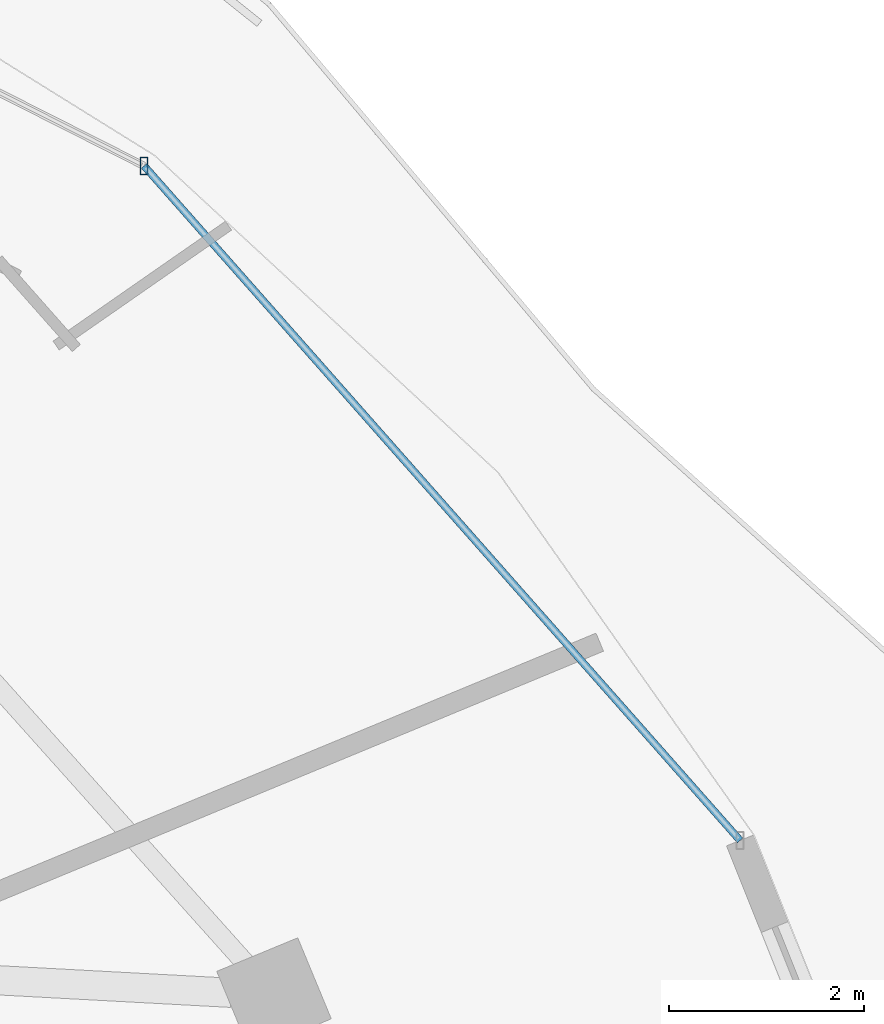
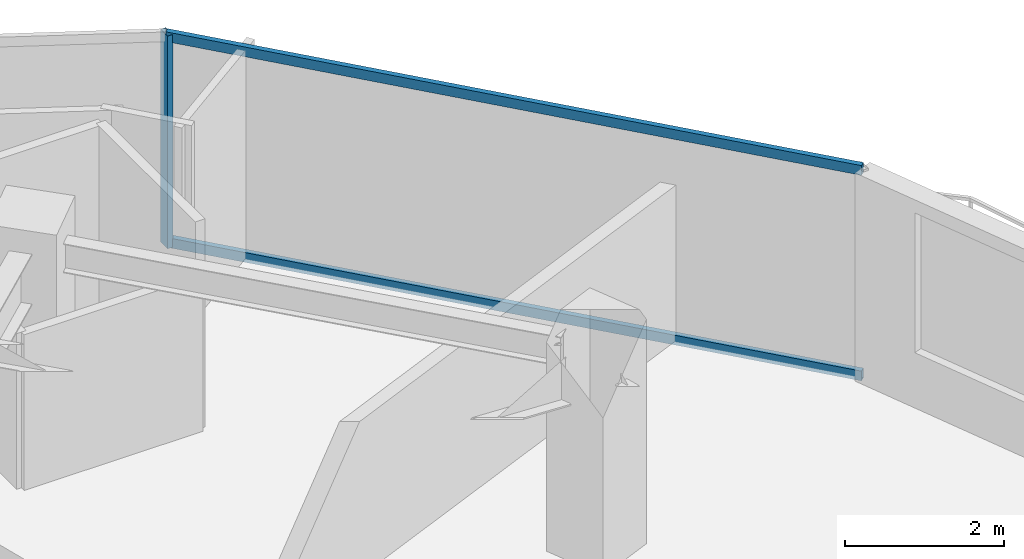
# One storey, part 22 of 33: 3 members, 1 element without a shape of its own.
"""IFC4 building model written with IfcOpenShell, lengths in metres."""

from ifc_helpers import new_model, si_unit, direction, frame, origin, origin_2d, place, context, subcontext, project, spatial, hollow_rectangle, extrude, material, material_profile, profile_set, type_object, element, aggregate, save


model = new_model("IFC4")

# Units and contexts
model_context = context("Model", 3, precision=1e-05, world=origin(), true_north=direction((0.0, 1.0)))
body_context = subcontext(model_context, "Body", "Model", "MODEL_VIEW")
ifc_project = project(units=[si_unit("LENGTHUNIT", "METRE"), si_unit("AREAUNIT", "SQUARE_METRE"), si_unit("VOLUMEUNIT", "CUBIC_METRE"), si_unit("PLANEANGLEUNIT", "RADIAN"), si_unit("MASSUNIT", "GRAM", prefix="KILO")], contexts=[model_context])

# Site, building, storey
site_placement = place(None, origin())
site = spatial("IfcSite", under=ifc_project, at=site_placement, CompositionType="ELEMENT")
building_placement = place(site_placement, origin())
building = spatial("IfcBuilding", under=site, at=building_placement, Name="Vorneva Point Tower", CompositionType="ELEMENT")
storey_placement = place(building_placement, frame((0.0, 0.0, 221.39990234375)))
storey = spatial("IfcBuildingStorey", under=building, at=storey_placement, Name="L60", CompositionType="ELEMENT", Elevation=221.39990234375)

# Curtain wall, members
ifc_material = material(Name="Pale anodised aluminium", Category="aluminium")
curtain_wall_type = type_object("IfcCurtainWallType", Name="CW-RES-SYS", PredefinedType="NOTDEFINED", material=ifc_material)
curtain_wall_placement = place(storey_placement, origin())
curtain_wall = element("IfcCurtainWall", 1, at=curtain_wall_placement, inside=storey, type_object=curtain_wall_type, Name="L60 Unitised Curtain Wall CW-L60-R01", PredefinedType="NOTDEFINED")
ifc_material_profile_1 = material_profile(ifc_material, hollow_rectangle(XDim=0.074951171875, YDim=0.179931640625, WallThickness=0.00390625, at=origin_2d()), Name="AL-MUL 180x75x4")
ifc_profile_set_1 = profile_set([ifc_material_profile_1], Name="Pale anodised aluminium")
member_type_1 = type_object("IfcMemberType", Name="CW-MUL-180", PredefinedType="MULLION", material=ifc_profile_set_1)
member_1_placement = place(storey_placement, frame((57.961669921875, 41.0966796875, -0.039794921875), z_axis=(0.0, 0.0, 1.0), x_axis=(1.0, 0.0, 0.0)))
member_1 = element("IfcMember", 2, at=member_1_placement, type_object=member_type_1, Name="CW-L60-R01 Mullion 02", PredefinedType="MULLION", context=body_context, shape_type="SweptSolid", body=[
    extrude(hollow_rectangle(XDim=0.074951171875, YDim=0.179931640625, WallThickness=0.00390625, at=origin_2d()), origin(), (0.0, 0.0, 1.0), 3.269775390625),
])
ifc_material_profile_2 = material_profile(ifc_material, hollow_rectangle(XDim=0.074951171875, YDim=0.14990234375, WallThickness=0.00390625, at=origin_2d()), Name="AL-TRN 150x75x4")
ifc_profile_set_2 = profile_set([ifc_material_profile_2], Name="Pale anodised aluminium")
member_type_2 = type_object("IfcMemberType", Name="CW-TRN-150", PredefinedType="USERDEFINED", material=ifc_profile_set_2)
member_2_placement = place(storey_placement, frame((64.0810546875, 34.17041015625, 0.02001953125), z_axis=(-0.662106383869, 0.749409858782, 0.0), x_axis=(-0.749409858782, -0.662106383869, 0.0)))
member_2 = element("IfcMember", 3, at=member_2_placement, type_object=member_type_2, Name="CW-L60-R01 Transom 01.1", ObjectType="TRANSOM", PredefinedType="USERDEFINED", context=body_context, shape_type="SweptSolid", body=[
    extrude(hollow_rectangle(XDim=0.074951171875, YDim=0.14990234375, WallThickness=0.00390625, at=origin_2d()), origin(), (0.0, 0.0, 1.0), 9.2421875),
])
member_3_placement = place(storey_placement, frame((64.0810546875, 34.17041015625, 3.18017578125), z_axis=(-0.662106383869, 0.749409858782, 0.0), x_axis=(-0.749409858782, -0.662106383869, 0.0)))
member_3 = element("IfcMember", 4, at=member_3_placement, type_object=member_type_2, Name="CW-L60-R01 Transom 01.2", ObjectType="TRANSOM", PredefinedType="USERDEFINED", context=body_context, shape_type="SweptSolid", body=[
    extrude(hollow_rectangle(XDim=0.074951171875, YDim=0.14990234375, WallThickness=0.00390625, at=origin_2d()), origin(), (0.0, 0.0, 1.0), 9.2421875),
])
aggregate(curtain_wall, [member_1, member_2, member_3])

save(model, "model.ifc")
